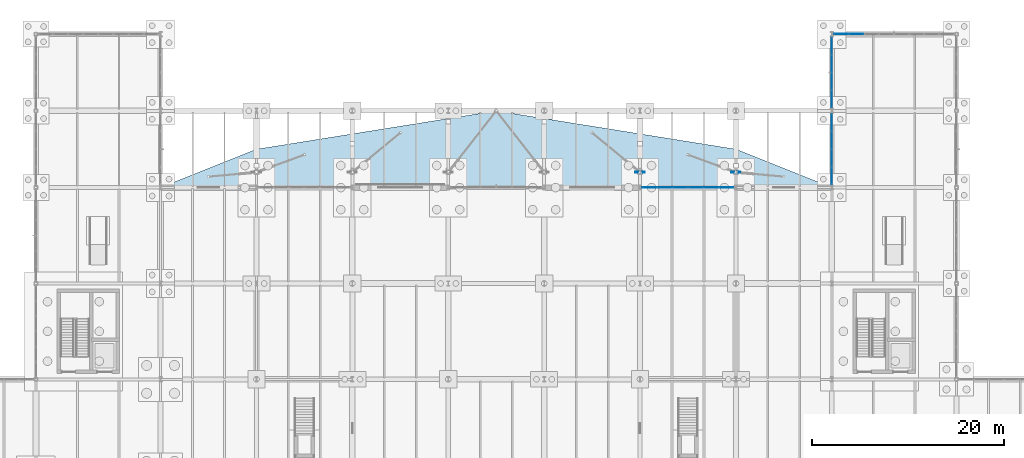
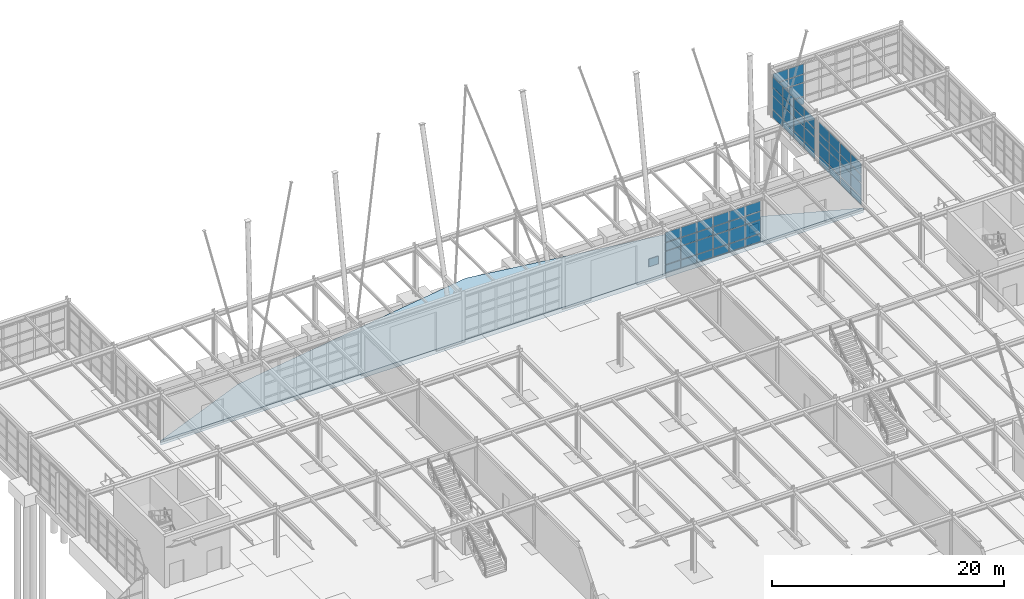
# One storey, part 92 of 145: 66 plates, 1 slab, 4 elements without a shape of their own.
"""IFC4 building model written with IfcOpenShell, lengths in metres."""

import ifcopenshell
import ifcopenshell.guid

model = None  # the IFC model being written
_history = None  # IfcOwnerHistory: only IFC2X3 demands one
_inside = {}  # id of a spatial element -> (the spatial element, [elements in it])
_under = {}  # id of a project, library or spatial element -> (it, [spatial elements below it])
_declared = {}  # id of a project -> (the project, [libraries it declares])
_typed = {}  # id of a type object -> (the type object, [elements of that type])
_made_of = {}  # id of a material, layer set ... -> (it, [elements and type objects made of it])


def new_model(schema):
    """Start an empty IFC model of exactly this schema.

    Asked for "IFC4X3", IfcOpenShell would pick the latest addendum, in which some entities
    have other attributes; the version numbers below select the first issue.
    IFC2X3 requires an IfcOwnerHistory on every rooted entity: one is made here for all.
    """
    global model, _history
    if schema == "IFC4X3":
        model = ifcopenshell.file(schema_version=(4, 3, 0, 0))
    else:
        model = ifcopenshell.file(schema=schema)
    _inside.clear()
    _under.clear()
    _declared.clear()
    _typed.clear()
    _made_of.clear()
    _history = None
    if model.schema == "IFC2X3":
        org = make("IfcOrganization", Name="unknown")
        user = make(
            "IfcPersonAndOrganization",
            ThePerson=make("IfcPerson", FamilyName="unknown"),
            TheOrganization=org,
        )
        app = make(
            "IfcApplication",
            ApplicationDeveloper=org,
            Version="unknown",
            ApplicationFullName="unknown",
            ApplicationIdentifier="unknown",
        )
        _history = make(
            "IfcOwnerHistory",
            OwningUser=user,
            OwningApplication=app,
            ChangeAction="ADDED",
            CreationDate=0,
        )
    return model


def make(cls, **values):
    """One entity of the class cls with the attributes given. An attribute that is None is left unset."""
    return model.create_entity(
        cls, **{name: value for name, value in values.items() if value is not None}
    )


def rooted(cls, **values):
    """An entity with a GlobalId (a new one), such as an element, a storey or a relation."""
    return make(cls, GlobalId=ifcopenshell.guid.new(), OwnerHistory=_history, **values)


def si_unit(unit_type, name, prefix=None):
    """IfcSIUnit, for example si_unit("LENGTHUNIT", "METRE", prefix="MILLI")."""
    return make("IfcSIUnit", UnitType=unit_type, Prefix=prefix, Name=name)


def assignment(units):
    """IfcUnitAssignment: the units of a project."""
    return None if units is None else make("IfcUnitAssignment", Units=units)


def point(xyz):
    """IfcCartesianPoint."""
    return None if xyz is None else make("IfcCartesianPoint", Coordinates=xyz)


def direction(xyz):
    """IfcDirection."""
    return None if xyz is None else make("IfcDirection", DirectionRatios=xyz)


def frame(location, z_axis=None, x_axis=None):
    """IfcAxis2Placement3D, a coordinate frame: its origin and axes. An axis left out is left unset."""
    return make(
        "IfcAxis2Placement3D",
        Location=point(location),
        Axis=direction(z_axis),
        RefDirection=direction(x_axis),
    )


def frame_2d(location, x_axis=None):
    """IfcAxis2Placement2D, a coordinate frame in the plane: its origin and x axis."""
    return make(
        "IfcAxis2Placement2D", Location=point(location), RefDirection=direction(x_axis)
    )


def origin():
    """The frame at (0, 0, 0) with its axes left unset."""
    return frame((0.0, 0.0, 0.0))


def origin_2d():
    """The frame at (0, 0) in the plane with its x axis left unset."""
    return frame_2d((0.0, 0.0))


def place(relative_to, where):
    """IfcLocalPlacement: puts the frame where relative to a parent placement (None: the world)."""
    return make(
        "IfcLocalPlacement", PlacementRelTo=relative_to, RelativePlacement=where
    )


def context(
    kind, dimensions, precision=None, world=None, true_north=None, identifier=None
):
    """IfcGeometricRepresentationContext, for example the 3D "Model" context."""
    return make(
        "IfcGeometricRepresentationContext",
        ContextIdentifier=identifier,
        ContextType=kind,
        CoordinateSpaceDimension=dimensions,
        Precision=precision,
        WorldCoordinateSystem=world,
        TrueNorth=true_north,
    )


def subcontext(parent, identifier, kind, view, scale=None):
    """IfcGeometricRepresentationSubContext, for example "Body" below "Model"."""
    return make(
        "IfcGeometricRepresentationSubContext",
        ContextIdentifier=identifier,
        ContextType=kind,
        ParentContext=parent,
        TargetScale=scale,
        TargetView=view,
    )


def project(units=None, contexts=None):
    """IfcProject with its units and contexts."""
    return rooted(
        "IfcProject",
        Name="project",
        RepresentationContexts=contexts,
        UnitsInContext=assignment(units),
    )


def spatial(cls, under=None, at=None, **own):
    """A site, building, storey or space (cls), placed at a placement, below another one or the project."""
    s = rooted(cls, ObjectPlacement=at, **own)
    if under is not None:
        _under.setdefault(under.id(), (under, []))[1].append(s)
    return s


def polyline(points):
    """IfcPolyline through the points."""
    return make("IfcPolyline", Points=[point(p) for p in points])


def profile(cls, at=None, kind="AREA", **sizes):
    """A parametric profile (cls). Its sizes go by their IFC names, for example OverallWidth=200.0."""
    return make(cls, ProfileType=kind, Position=at, **sizes)


def rectangle(**sizes):
    """IfcRectangleProfileDef."""
    return profile("IfcRectangleProfileDef", **sizes)


def outline(outer, holes=None, kind="AREA"):
    """IfcArbitraryClosedProfileDef: a profile drawn as a closed curve; with holes, ...WithVoids."""
    if holes is None:
        return make("IfcArbitraryClosedProfileDef", ProfileType=kind, OuterCurve=outer)
    return make(
        "IfcArbitraryProfileDefWithVoids",
        ProfileType=kind,
        OuterCurve=outer,
        InnerCurves=holes,
    )


def extrude(swept, where, along, depth):
    """IfcExtrudedAreaSolid: the profile swept, set in the frame where, extruded along a direction by depth."""
    return make(
        "IfcExtrudedAreaSolid",
        SweptArea=swept,
        Position=where,
        ExtrudedDirection=direction(along),
        Depth=depth,
    )


def shape(context_of_items, identifier, shape_type, items):
    """IfcShapeRepresentation: the items that make up one representation, for example the "Body"."""
    return make(
        "IfcShapeRepresentation",
        ContextOfItems=context_of_items,
        RepresentationIdentifier=identifier,
        RepresentationType=shape_type,
        Items=items,
    )


def material(Name=None, Category=None):
    """IfcMaterial."""
    return make("IfcMaterial", Name=Name, Category=Category)


def layer(
    of_material, thickness, ventilated=None, Name=None, Category=None, Priority=None
):
    """IfcMaterialLayer: one layer of a wall or slab, of a material (None: an air gap)."""
    return make(
        "IfcMaterialLayer",
        Material=of_material,
        LayerThickness=thickness,
        IsVentilated=ventilated,
        Name=Name,
        Category=Category,
        Priority=Priority,
    )


def layer_set(layers, Name=None):
    """IfcMaterialLayerSet."""
    return make("IfcMaterialLayerSet", MaterialLayers=layers, LayerSetName=Name)


def made_of(thing, what):
    """Note that an element or type object is made of a material, layer set ...; save() writes the relation."""
    if what is not None:
        _made_of.setdefault(what.id(), (what, []))[1].append(thing)
    return thing


def type_object(cls, material=None, **own):
    """A type object (cls), such as IfcWallType, which elements share."""
    return made_of(rooted(cls, **own), material)


def element(
    cls,
    number,
    at=None,
    inside=None,
    cuts=None,
    type_object=None,
    material=None,
    context=None,
    identifier="Body",
    shape_type=None,
    held_by="IfcProductDefinitionShape",
    body=None,
    shapes=None,
    **own,
):
    """One element of the class cls, such as IfcWall. Its Tag is "e" and its number.

    at: its placement. inside: the storey or other place that contains it. cuts: it is an
    opening in that element (IfcRelVoidsElement). A single representation is given by context,
    identifier, shape_type and body (its items); several are given by shapes. held_by: the class
    of the entity that holds the representations. save() writes the other relations.
    """
    e = rooted(cls, Tag="e%d" % number, ObjectPlacement=at, **own)
    if body is not None:
        shapes = [shape(context, identifier, shape_type, body)]
    if shapes is not None:
        e.Representation = make(held_by, Representations=shapes)
    if inside is not None:
        _inside.setdefault(inside.id(), (inside, []))[1].append(e)
    if cuts is not None:
        rooted(
            "IfcRelVoidsElement", RelatingBuildingElement=cuts, RelatedOpeningElement=e
        )
    if type_object is not None:
        _typed.setdefault(type_object.id(), (type_object, []))[1].append(e)
    return made_of(e, material)


def aggregate(whole, parts):
    """IfcRelAggregates: a whole, such as a stair, and the parts it consists of."""
    return rooted("IfcRelAggregates", RelatingObject=whole, RelatedObjects=parts)


def save(model, path):
    """Write the relations noted so far, then the file.

    IfcRelAggregates (storeys below a building ...), IfcRelContainedInSpatialStructure (elements
    in a storey), IfcRelDefinesByType, IfcRelAssociatesMaterial and IfcRelDeclares: one each for
    every whole, place, type object, material and project.
    """
    for whole, parts in _under.values():
        aggregate(whole, parts)
    for where, things in _inside.values():
        rooted(
            "IfcRelContainedInSpatialStructure",
            RelatedElements=things,
            RelatingStructure=where,
        )
    for kind, things in _typed.values():
        rooted("IfcRelDefinesByType", RelatedObjects=things, RelatingType=kind)
    for what, things in _made_of.values():
        rooted("IfcRelAssociatesMaterial", RelatedObjects=things, RelatingMaterial=what)
    for by, libraries in _declared.values():
        rooted("IfcRelDeclares", RelatingContext=by, RelatedDefinitions=libraries)
    model.write(path)


model = new_model("IFC4")

# Units and contexts
model_context = context("Model", 3, precision=1e-05, world=origin(), true_north=direction((0.0, 1.0)))
body_context = subcontext(model_context, "Body", "Model", "MODEL_VIEW")
ifc_project = project(units=[si_unit("LENGTHUNIT", "METRE"), si_unit("AREAUNIT", "SQUARE_METRE"), si_unit("VOLUMEUNIT", "CUBIC_METRE"), si_unit("PLANEANGLEUNIT", "RADIAN"), si_unit("MASSUNIT", "GRAM", prefix="KILO"), si_unit("THERMODYNAMICTEMPERATUREUNIT", "KELVIN"), si_unit("POWERUNIT", "WATT")], contexts=[model_context])

# Site, building, storey
site_placement = place(None, origin())
site = spatial("IfcSite", under=ifc_project, at=site_placement, CompositionType="ELEMENT")
building_placement = place(site_placement, origin())
building = spatial("IfcBuilding", under=site, at=building_placement, Name="Korenveer Ferry Terminal", CompositionType="ELEMENT")
storey_placement = place(building_placement, origin())
storey = spatial("IfcBuildingStorey", under=building, at=storey_placement, Name="L00", CompositionType="ELEMENT", Elevation=0.0)

# Curtain wall, plates
ifc_material_1 = material(Name="Unitised bronze-and-glass curtain wall", Category="glass")
ifc_layer_1 = layer(ifc_material_1, 0.219970703125)
ifc_layer_set_1 = layer_set([ifc_layer_1], Name="Unitised bronze-and-glass curtain wall")
curtain_wall_type_1 = type_object("IfcCurtainWallType", Name="ENV-CW-15", PredefinedType="USERDEFINED", material=ifc_layer_set_1)
curtain_wall_1_placement = place(storey_placement, frame((103.179931640625, 100.0, 0.0)))
curtain_wall_1 = element("IfcCurtainWall", 1, at=curtain_wall_1_placement, inside=storey, type_object=curtain_wall_type_1, Name="Lancet curtain wall CWX-L00-X103-113-Y100-100", ObjectType="UNITISED CURTAIN WALL", PredefinedType="USERDEFINED")
ifc_material_2 = material(Name="Acoustic laminated marine glazing", Category="glass")
ifc_layer_2 = layer(ifc_material_2, 0.035888671875)
ifc_layer_set_2 = layer_set([ifc_layer_2], Name="Acoustic laminated marine glazing")
plate_type_1 = type_object("IfcPlateType", Name="ENV-CWP-GLZ36", PredefinedType="CURTAIN_PANEL", material=ifc_layer_set_2)
plate_1_placement = place(storey_placement, frame((104.002197265625, 100.0, 0.074951171875), z_axis=(0.0, 0.0, 1.0), x_axis=(1.0, 0.0, 0.0)))
plate_1 = element("IfcPlate", 2, at=plate_1_placement, type_object=plate_type_1, Name="CW-15 panel 1.1", PredefinedType="CURTAIN_PANEL", context=body_context, shape_type="SweptSolid", body=[
    extrude(rectangle(XDim=1.494140625, YDim=0.035888671875, at=origin_2d()), origin(), (0.0, 0.0, 1.0), 0.78759765625),
])
plate_2_placement = place(storey_placement, frame((104.002197265625, 100.0, 0.9375), z_axis=(0.0, 0.0, 1.0), x_axis=(1.0, 0.0, 0.0)))
plate_2 = element("IfcPlate", 3, at=plate_2_placement, type_object=plate_type_1, Name="CW-15 panel 1.2", PredefinedType="CURTAIN_PANEL", context=body_context, shape_type="SweptSolid", body=[
    extrude(rectangle(XDim=1.494140625, YDim=0.035888671875, at=origin_2d()), origin(), (0.0, 0.0, 1.0), 1.375),
])
plate_3_placement = place(storey_placement, frame((104.002197265625, 100.0, 2.3876953125), z_axis=(0.0, 0.0, 1.0), x_axis=(1.0, 0.0, 0.0)))
plate_3 = element("IfcPlate", 4, at=plate_3_placement, type_object=plate_type_1, Name="CW-15 panel 1.3", PredefinedType="CURTAIN_PANEL", context=body_context, shape_type="SweptSolid", body=[
    extrude(rectangle(XDim=1.494140625, YDim=0.035888671875, at=origin_2d()), origin(), (0.0, 0.0, 1.0), 0.824951171875),
])
plate_4_placement = place(storey_placement, frame((104.002197265625, 100.0, 3.287353515625), z_axis=(0.0, 0.0, 1.0), x_axis=(1.0, 0.0, 0.0)))
plate_4 = element("IfcPlate", 5, at=plate_4_placement, type_object=plate_type_1, Name="CW-15 panel 1.4", PredefinedType="CURTAIN_PANEL", context=body_context, shape_type="SweptSolid", body=[
    extrude(rectangle(XDim=1.494140625, YDim=0.035888671875, at=origin_2d()), origin(), (0.0, 0.0, 1.0), 1.017578125),
])
plate_5_placement = place(storey_placement, frame((105.590087890625, 100.0, 0.074951171875), z_axis=(0.0, 0.0, 1.0), x_axis=(1.0, 0.0, 0.0)))
plate_5 = element("IfcPlate", 6, at=plate_5_placement, type_object=plate_type_1, Name="CW-15 panel 2.1", PredefinedType="CURTAIN_PANEL", context=body_context, shape_type="SweptSolid", body=[
    extrude(rectangle(XDim=1.53173828125, YDim=0.035888671875, at=origin_2d()), origin(), (0.0, 0.0, 1.0), 0.78759765625),
])
plate_6_placement = place(storey_placement, frame((105.590087890625, 100.0, 0.9375), z_axis=(0.0, 0.0, 1.0), x_axis=(1.0, 0.0, 0.0)))
plate_6 = element("IfcPlate", 7, at=plate_6_placement, type_object=plate_type_1, Name="CW-15 panel 2.2", PredefinedType="CURTAIN_PANEL", context=body_context, shape_type="SweptSolid", body=[
    extrude(rectangle(XDim=1.53173828125, YDim=0.035888671875, at=origin_2d()), origin(), (0.0, 0.0, 1.0), 1.375),
])
plate_7_placement = place(storey_placement, frame((105.590087890625, 100.0, 2.3876953125), z_axis=(0.0, 0.0, 1.0), x_axis=(1.0, 0.0, 0.0)))
plate_7 = element("IfcPlate", 8, at=plate_7_placement, type_object=plate_type_1, Name="CW-15 panel 2.3", PredefinedType="CURTAIN_PANEL", context=body_context, shape_type="SweptSolid", body=[
    extrude(rectangle(XDim=1.53173828125, YDim=0.035888671875, at=origin_2d()), origin(), (0.0, 0.0, 1.0), 0.824951171875),
])
plate_8_placement = place(storey_placement, frame((105.590087890625, 100.0, 3.287353515625), z_axis=(0.0, 0.0, 1.0), x_axis=(1.0, 0.0, 0.0)))
plate_8 = element("IfcPlate", 9, at=plate_8_placement, type_object=plate_type_1, Name="CW-15 panel 2.4", PredefinedType="CURTAIN_PANEL", context=body_context, shape_type="SweptSolid", body=[
    extrude(rectangle(XDim=1.53173828125, YDim=0.035888671875, at=origin_2d()), origin(), (0.0, 0.0, 1.0), 1.017578125),
])
plate_9_placement = place(storey_placement, frame((107.19677734375, 100.0, 0.074951171875), z_axis=(0.0, 0.0, 1.0), x_axis=(1.0, 0.0, 0.0)))
plate_9 = element("IfcPlate", 10, at=plate_9_placement, type_object=plate_type_1, Name="CW-15 panel 3.1", PredefinedType="CURTAIN_PANEL", context=body_context, shape_type="SweptSolid", body=[
    extrude(rectangle(XDim=1.53173828125, YDim=0.035888671875, at=origin_2d()), origin(), (0.0, 0.0, 1.0), 0.78759765625),
])
plate_10_placement = place(storey_placement, frame((107.19677734375, 100.0, 0.9375), z_axis=(0.0, 0.0, 1.0), x_axis=(1.0, 0.0, 0.0)))
plate_10 = element("IfcPlate", 11, at=plate_10_placement, type_object=plate_type_1, Name="CW-15 panel 3.2", PredefinedType="CURTAIN_PANEL", context=body_context, shape_type="SweptSolid", body=[
    extrude(rectangle(XDim=1.53173828125, YDim=0.035888671875, at=origin_2d()), origin(), (0.0, 0.0, 1.0), 1.375),
])
plate_11_placement = place(storey_placement, frame((107.19677734375, 100.0, 2.3876953125), z_axis=(0.0, 0.0, 1.0), x_axis=(1.0, 0.0, 0.0)))
plate_11 = element("IfcPlate", 12, at=plate_11_placement, type_object=plate_type_1, Name="CW-15 panel 3.3", PredefinedType="CURTAIN_PANEL", context=body_context, shape_type="SweptSolid", body=[
    extrude(rectangle(XDim=1.53173828125, YDim=0.035888671875, at=origin_2d()), origin(), (0.0, 0.0, 1.0), 0.824951171875),
])
plate_12_placement = place(storey_placement, frame((107.19677734375, 100.0, 3.287353515625), z_axis=(0.0, 0.0, 1.0), x_axis=(1.0, 0.0, 0.0)))
plate_12 = element("IfcPlate", 13, at=plate_12_placement, type_object=plate_type_1, Name="CW-15 panel 3.4", PredefinedType="CURTAIN_PANEL", context=body_context, shape_type="SweptSolid", body=[
    extrude(rectangle(XDim=1.53173828125, YDim=0.035888671875, at=origin_2d()), origin(), (0.0, 0.0, 1.0), 1.017578125),
])
plate_13_placement = place(storey_placement, frame((108.80322265625, 100.0, 0.074951171875), z_axis=(0.0, 0.0, 1.0), x_axis=(1.0, 0.0, 0.0)))
plate_13 = element("IfcPlate", 14, at=plate_13_placement, type_object=plate_type_1, Name="CW-15 panel 4.1", PredefinedType="CURTAIN_PANEL", context=body_context, shape_type="SweptSolid", body=[
    extrude(rectangle(XDim=1.53173828125, YDim=0.035888671875, at=origin_2d()), origin(), (0.0, 0.0, 1.0), 0.78759765625),
])
plate_14_placement = place(storey_placement, frame((108.80322265625, 100.0, 0.9375), z_axis=(0.0, 0.0, 1.0), x_axis=(1.0, 0.0, 0.0)))
plate_14 = element("IfcPlate", 15, at=plate_14_placement, type_object=plate_type_1, Name="CW-15 panel 4.2", PredefinedType="CURTAIN_PANEL", context=body_context, shape_type="SweptSolid", body=[
    extrude(rectangle(XDim=1.53173828125, YDim=0.035888671875, at=origin_2d()), origin(), (0.0, 0.0, 1.0), 1.375),
])
plate_15_placement = place(storey_placement, frame((108.80322265625, 100.0, 2.3876953125), z_axis=(0.0, 0.0, 1.0), x_axis=(1.0, 0.0, 0.0)))
plate_15 = element("IfcPlate", 16, at=plate_15_placement, type_object=plate_type_1, Name="CW-15 panel 4.3", PredefinedType="CURTAIN_PANEL", context=body_context, shape_type="SweptSolid", body=[
    extrude(rectangle(XDim=1.53173828125, YDim=0.035888671875, at=origin_2d()), origin(), (0.0, 0.0, 1.0), 0.824951171875),
])
plate_16_placement = place(storey_placement, frame((108.80322265625, 100.0, 3.287353515625), z_axis=(0.0, 0.0, 1.0), x_axis=(1.0, 0.0, 0.0)))
plate_16 = element("IfcPlate", 17, at=plate_16_placement, type_object=plate_type_1, Name="CW-15 panel 4.4", PredefinedType="CURTAIN_PANEL", context=body_context, shape_type="SweptSolid", body=[
    extrude(rectangle(XDim=1.53173828125, YDim=0.035888671875, at=origin_2d()), origin(), (0.0, 0.0, 1.0), 1.017578125),
])
plate_17_placement = place(storey_placement, frame((110.409912109375, 100.0, 0.074951171875), z_axis=(0.0, 0.0, 1.0), x_axis=(1.0, 0.0, 0.0)))
plate_17 = element("IfcPlate", 18, at=plate_17_placement, type_object=plate_type_1, Name="CW-15 panel 5.1", PredefinedType="CURTAIN_PANEL", context=body_context, shape_type="SweptSolid", body=[
    extrude(rectangle(XDim=1.53173828125, YDim=0.035888671875, at=origin_2d()), origin(), (0.0, 0.0, 1.0), 0.78759765625),
])
plate_18_placement = place(storey_placement, frame((110.409912109375, 100.0, 0.9375), z_axis=(0.0, 0.0, 1.0), x_axis=(1.0, 0.0, 0.0)))
plate_18 = element("IfcPlate", 19, at=plate_18_placement, type_object=plate_type_1, Name="CW-15 panel 5.2", PredefinedType="CURTAIN_PANEL", context=body_context, shape_type="SweptSolid", body=[
    extrude(rectangle(XDim=1.53173828125, YDim=0.035888671875, at=origin_2d()), origin(), (0.0, 0.0, 1.0), 1.375),
])
plate_19_placement = place(storey_placement, frame((110.409912109375, 100.0, 2.3876953125), z_axis=(0.0, 0.0, 1.0), x_axis=(1.0, 0.0, 0.0)))
plate_19 = element("IfcPlate", 20, at=plate_19_placement, type_object=plate_type_1, Name="CW-15 panel 5.3", PredefinedType="CURTAIN_PANEL", context=body_context, shape_type="SweptSolid", body=[
    extrude(rectangle(XDim=1.53173828125, YDim=0.035888671875, at=origin_2d()), origin(), (0.0, 0.0, 1.0), 0.824951171875),
])
plate_20_placement = place(storey_placement, frame((110.409912109375, 100.0, 3.287353515625), z_axis=(0.0, 0.0, 1.0), x_axis=(1.0, 0.0, 0.0)))
plate_20 = element("IfcPlate", 21, at=plate_20_placement, type_object=plate_type_1, Name="CW-15 panel 5.4", PredefinedType="CURTAIN_PANEL", context=body_context, shape_type="SweptSolid", body=[
    extrude(rectangle(XDim=1.53173828125, YDim=0.035888671875, at=origin_2d()), origin(), (0.0, 0.0, 1.0), 1.017578125),
])
plate_21_placement = place(storey_placement, frame((111.997802734375, 100.0, 0.074951171875), z_axis=(0.0, 0.0, 1.0), x_axis=(1.0, 0.0, 0.0)))
plate_21 = element("IfcPlate", 22, at=plate_21_placement, type_object=plate_type_1, Name="CW-15 panel 6.1", PredefinedType="CURTAIN_PANEL", context=body_context, shape_type="SweptSolid", body=[
    extrude(rectangle(XDim=1.494140625, YDim=0.035888671875, at=origin_2d()), origin(), (0.0, 0.0, 1.0), 0.78759765625),
])
plate_22_placement = place(storey_placement, frame((111.997802734375, 100.0, 0.9375), z_axis=(0.0, 0.0, 1.0), x_axis=(1.0, 0.0, 0.0)))
plate_22 = element("IfcPlate", 23, at=plate_22_placement, type_object=plate_type_1, Name="CW-15 panel 6.2", PredefinedType="CURTAIN_PANEL", context=body_context, shape_type="SweptSolid", body=[
    extrude(rectangle(XDim=1.494140625, YDim=0.035888671875, at=origin_2d()), origin(), (0.0, 0.0, 1.0), 1.375),
])
plate_23_placement = place(storey_placement, frame((111.997802734375, 100.0, 2.3876953125), z_axis=(0.0, 0.0, 1.0), x_axis=(1.0, 0.0, 0.0)))
plate_23 = element("IfcPlate", 24, at=plate_23_placement, type_object=plate_type_1, Name="CW-15 panel 6.3", PredefinedType="CURTAIN_PANEL", context=body_context, shape_type="SweptSolid", body=[
    extrude(rectangle(XDim=1.494140625, YDim=0.035888671875, at=origin_2d()), origin(), (0.0, 0.0, 1.0), 0.824951171875),
])
plate_24_placement = place(storey_placement, frame((111.997802734375, 100.0, 3.287353515625), z_axis=(0.0, 0.0, 1.0), x_axis=(1.0, 0.0, 0.0)))
plate_24 = element("IfcPlate", 25, at=plate_24_placement, type_object=plate_type_1, Name="CW-15 panel 6.4", PredefinedType="CURTAIN_PANEL", context=body_context, shape_type="SweptSolid", body=[
    extrude(rectangle(XDim=1.494140625, YDim=0.035888671875, at=origin_2d()), origin(), (0.0, 0.0, 1.0), 1.017578125),
])
aggregate(curtain_wall_1, [plate_1, plate_2, plate_3, plate_4, plate_5, plate_6, plate_7, plate_8, plate_9, plate_10, plate_11, plate_12, plate_13, plate_14, plate_15, plate_16, plate_17, plate_18, plate_19, plate_20, plate_21, plate_22, plate_23, plate_24])

ifc_layer_3 = layer(ifc_material_1, 0.219970703125)
ifc_layer_set_3 = layer_set([ifc_layer_3], Name="Unitised bronze-and-glass curtain wall")
curtain_wall_type_2 = type_object("IfcCurtainWallType", Name="ENV-CW-17", PredefinedType="USERDEFINED", material=ifc_layer_set_3)
curtain_wall_2_placement = place(storey_placement, frame((123.179931640625, 116.0, 0.0)))
curtain_wall_2 = element("IfcCurtainWall", 26, at=curtain_wall_2_placement, inside=storey, type_object=curtain_wall_type_2, Name="Lancet curtain wall CWX-L00-X123-136-Y116-116", ObjectType="UNITISED CURTAIN WALL", PredefinedType="USERDEFINED")
plate_25_placement = place(storey_placement, frame((123.987060546875, 116.0, 0.074951171875), z_axis=(0.0, 0.0, 1.0), x_axis=(1.0, 0.0, 0.0)))
plate_25 = element("IfcPlate", 27, at=plate_25_placement, type_object=plate_type_1, Name="CW-17 panel 1.1", PredefinedType="CURTAIN_PANEL", context=body_context, shape_type="SweptSolid", body=[
    extrude(rectangle(XDim=1.464111328125, YDim=0.035888671875, at=origin_2d()), origin(), (0.0, 0.0, 1.0), 0.78759765625),
])
plate_26_placement = place(storey_placement, frame((123.987060546875, 116.0, 0.9375), z_axis=(0.0, 0.0, 1.0), x_axis=(1.0, 0.0, 0.0)))
plate_26 = element("IfcPlate", 28, at=plate_26_placement, type_object=plate_type_1, Name="CW-17 panel 1.2", PredefinedType="CURTAIN_PANEL", context=body_context, shape_type="SweptSolid", body=[
    extrude(rectangle(XDim=1.464111328125, YDim=0.035888671875, at=origin_2d()), origin(), (0.0, 0.0, 1.0), 1.375),
])
plate_27_placement = place(storey_placement, frame((123.987060546875, 116.0, 2.3876953125), z_axis=(0.0, 0.0, 1.0), x_axis=(1.0, 0.0, 0.0)))
plate_27 = element("IfcPlate", 29, at=plate_27_placement, type_object=plate_type_1, Name="CW-17 panel 1.3", PredefinedType="CURTAIN_PANEL", context=body_context, shape_type="SweptSolid", body=[
    extrude(rectangle(XDim=1.464111328125, YDim=0.035888671875, at=origin_2d()), origin(), (0.0, 0.0, 1.0), 0.824951171875),
])
plate_28_placement = place(storey_placement, frame((123.987060546875, 116.0, 3.28759765625), z_axis=(0.0, 0.0, 1.0), x_axis=(1.0, 0.0, 0.0)))
plate_28 = element("IfcPlate", 30, at=plate_28_placement, type_object=plate_type_1, Name="CW-17 panel 1.4", PredefinedType="CURTAIN_PANEL", context=body_context, shape_type="SweptSolid", body=[
    extrude(rectangle(XDim=1.464111328125, YDim=0.035888671875, at=origin_2d()), origin(), (0.0, 0.0, 1.0), 1.027587890625),
])
plate_29_placement = place(storey_placement, frame((125.544677734375, 116.0, 0.074951171875), z_axis=(0.0, 0.0, 1.0), x_axis=(1.0, 0.0, 0.0)))
plate_29 = element("IfcPlate", 31, at=plate_29_placement, type_object=plate_type_1, Name="CW-17 panel 2.1", PredefinedType="CURTAIN_PANEL", context=body_context, shape_type="SweptSolid", body=[
    extrude(rectangle(XDim=1.50146484375, YDim=0.035888671875, at=origin_2d()), origin(), (0.0, 0.0, 1.0), 0.78759765625),
])
plate_30_placement = place(storey_placement, frame((125.544677734375, 116.0, 0.9375), z_axis=(0.0, 0.0, 1.0), x_axis=(1.0, 0.0, 0.0)))
plate_30 = element("IfcPlate", 32, at=plate_30_placement, type_object=plate_type_1, Name="CW-17 panel 2.2", PredefinedType="CURTAIN_PANEL", context=body_context, shape_type="SweptSolid", body=[
    extrude(rectangle(XDim=1.50146484375, YDim=0.035888671875, at=origin_2d()), origin(), (0.0, 0.0, 1.0), 1.375),
])
plate_31_placement = place(storey_placement, frame((125.544677734375, 116.0, 2.3876953125), z_axis=(0.0, 0.0, 1.0), x_axis=(1.0, 0.0, 0.0)))
plate_31 = element("IfcPlate", 33, at=plate_31_placement, type_object=plate_type_1, Name="CW-17 panel 2.3", PredefinedType="CURTAIN_PANEL", context=body_context, shape_type="SweptSolid", body=[
    extrude(rectangle(XDim=1.50146484375, YDim=0.035888671875, at=origin_2d()), origin(), (0.0, 0.0, 1.0), 0.824951171875),
])
plate_32_placement = place(storey_placement, frame((125.544677734375, 116.0, 3.28759765625), z_axis=(0.0, 0.0, 1.0), x_axis=(1.0, 0.0, 0.0)))
plate_32 = element("IfcPlate", 34, at=plate_32_placement, type_object=plate_type_1, Name="CW-17 panel 2.4", PredefinedType="CURTAIN_PANEL", context=body_context, shape_type="SweptSolid", body=[
    extrude(rectangle(XDim=1.50146484375, YDim=0.035888671875, at=origin_2d()), origin(), (0.0, 0.0, 1.0), 1.027587890625),
])
aggregate(curtain_wall_2, [plate_25, plate_26, plate_27, plate_28, plate_29, plate_30, plate_31, plate_32])

ifc_layer_4 = layer(ifc_material_1, 0.219970703125)
ifc_layer_set_4 = layer_set([ifc_layer_4], Name="Unitised bronze-and-glass curtain wall")
curtain_wall_type_3 = type_object("IfcCurtainWallType", Name="ENV-CW-28", PredefinedType="USERDEFINED", material=ifc_layer_set_4)
curtain_wall_3_placement = place(storey_placement, frame((123.0, 100.280029296875, 0.0)))
curtain_wall_3 = element("IfcCurtainWall", 35, at=curtain_wall_3_placement, inside=storey, type_object=curtain_wall_type_3, Name="Lancet curtain wall CWX-L00-X123-123-Y100-108", ObjectType="UNITISED CURTAIN WALL", PredefinedType="USERDEFINED")
plate_33_placement = place(storey_placement, frame((123.0, 101.228759765625, 0.074951171875), z_axis=(0.0, 0.0, 1.0), x_axis=(0.0, 1.0, 0.0)))
plate_33 = element("IfcPlate", 36, at=plate_33_placement, type_object=plate_type_1, Name="CW-28 panel 1.1", PredefinedType="CURTAIN_PANEL", context=body_context, shape_type="SweptSolid", body=[
    extrude(rectangle(XDim=1.74755859375, YDim=0.035888671875, at=origin_2d()), origin(), (0.0, 0.0, 1.0), 0.78759765625),
])
plate_34_placement = place(storey_placement, frame((123.0, 101.228759765625, 0.9375), z_axis=(0.0, 0.0, 1.0), x_axis=(0.0, 1.0, 0.0)))
plate_34 = element("IfcPlate", 37, at=plate_34_placement, type_object=plate_type_1, Name="CW-28 panel 1.2", PredefinedType="CURTAIN_PANEL", context=body_context, shape_type="SweptSolid", body=[
    extrude(rectangle(XDim=1.74755859375, YDim=0.035888671875, at=origin_2d()), origin(), (0.0, 0.0, 1.0), 1.375),
])
plate_35_placement = place(storey_placement, frame((123.0, 101.228759765625, 2.3876953125), z_axis=(0.0, 0.0, 1.0), x_axis=(0.0, 1.0, 0.0)))
plate_35 = element("IfcPlate", 38, at=plate_35_placement, type_object=plate_type_1, Name="CW-28 panel 1.3", PredefinedType="CURTAIN_PANEL", context=body_context, shape_type="SweptSolid", body=[
    extrude(rectangle(XDim=1.74755859375, YDim=0.035888671875, at=origin_2d()), origin(), (0.0, 0.0, 1.0), 0.824951171875),
])
plate_36_placement = place(storey_placement, frame((123.0, 101.228759765625, 3.28759765625), z_axis=(0.0, 0.0, 1.0), x_axis=(0.0, 1.0, 0.0)))
plate_36 = element("IfcPlate", 39, at=plate_36_placement, type_object=plate_type_1, Name="CW-28 panel 1.4", PredefinedType="CURTAIN_PANEL", context=body_context, shape_type="SweptSolid", body=[
    extrude(rectangle(XDim=1.74755859375, YDim=0.035888671875, at=origin_2d()), origin(), (0.0, 0.0, 1.0), 1.12744140625),
])
plate_37_placement = place(storey_placement, frame((123.0, 103.070068359375, 0.074951171875), z_axis=(0.0, 0.0, 1.0), x_axis=(0.0, 1.0, 0.0)))
plate_37 = element("IfcPlate", 40, at=plate_37_placement, type_object=plate_type_1, Name="CW-28 panel 2.1", PredefinedType="CURTAIN_PANEL", context=body_context, shape_type="SweptSolid", body=[
    extrude(rectangle(XDim=1.784912109375, YDim=0.035888671875, at=origin_2d()), origin(), (0.0, 0.0, 1.0), 0.78759765625),
])
plate_38_placement = place(storey_placement, frame((123.0, 103.070068359375, 0.9375), z_axis=(0.0, 0.0, 1.0), x_axis=(0.0, 1.0, 0.0)))
plate_38 = element("IfcPlate", 41, at=plate_38_placement, type_object=plate_type_1, Name="CW-28 panel 2.2", PredefinedType="CURTAIN_PANEL", context=body_context, shape_type="SweptSolid", body=[
    extrude(rectangle(XDim=1.784912109375, YDim=0.035888671875, at=origin_2d()), origin(), (0.0, 0.0, 1.0), 1.375),
])
plate_39_placement = place(storey_placement, frame((123.0, 103.070068359375, 2.3876953125), z_axis=(0.0, 0.0, 1.0), x_axis=(0.0, 1.0, 0.0)))
plate_39 = element("IfcPlate", 42, at=plate_39_placement, type_object=plate_type_1, Name="CW-28 panel 2.3", PredefinedType="CURTAIN_PANEL", context=body_context, shape_type="SweptSolid", body=[
    extrude(rectangle(XDim=1.784912109375, YDim=0.035888671875, at=origin_2d()), origin(), (0.0, 0.0, 1.0), 0.824951171875),
])
plate_40_placement = place(storey_placement, frame((123.0, 103.070068359375, 3.28759765625), z_axis=(0.0, 0.0, 1.0), x_axis=(0.0, 1.0, 0.0)))
plate_40 = element("IfcPlate", 43, at=plate_40_placement, type_object=plate_type_1, Name="CW-28 panel 2.4", PredefinedType="CURTAIN_PANEL", context=body_context, shape_type="SweptSolid", body=[
    extrude(rectangle(XDim=1.784912109375, YDim=0.035888671875, at=origin_2d()), origin(), (0.0, 0.0, 1.0), 1.12744140625),
])
plate_41_placement = place(storey_placement, frame((123.0, 104.929931640625, 0.074951171875), z_axis=(0.0, 0.0, 1.0), x_axis=(0.0, 1.0, 0.0)))
plate_41 = element("IfcPlate", 44, at=plate_41_placement, type_object=plate_type_1, Name="CW-28 panel 3.1", PredefinedType="CURTAIN_PANEL", context=body_context, shape_type="SweptSolid", body=[
    extrude(rectangle(XDim=1.784912109375, YDim=0.035888671875, at=origin_2d()), origin(), (0.0, 0.0, 1.0), 0.78759765625),
])
plate_42_placement = place(storey_placement, frame((123.0, 104.929931640625, 0.9375), z_axis=(0.0, 0.0, 1.0), x_axis=(0.0, 1.0, 0.0)))
plate_42 = element("IfcPlate", 45, at=plate_42_placement, type_object=plate_type_1, Name="CW-28 panel 3.2", PredefinedType="CURTAIN_PANEL", context=body_context, shape_type="SweptSolid", body=[
    extrude(rectangle(XDim=1.784912109375, YDim=0.035888671875, at=origin_2d()), origin(), (0.0, 0.0, 1.0), 1.375),
])
plate_43_placement = place(storey_placement, frame((123.0, 104.929931640625, 2.3876953125), z_axis=(0.0, 0.0, 1.0), x_axis=(0.0, 1.0, 0.0)))
plate_43 = element("IfcPlate", 46, at=plate_43_placement, type_object=plate_type_1, Name="CW-28 panel 3.3", PredefinedType="CURTAIN_PANEL", context=body_context, shape_type="SweptSolid", body=[
    extrude(rectangle(XDim=1.784912109375, YDim=0.035888671875, at=origin_2d()), origin(), (0.0, 0.0, 1.0), 0.824951171875),
])
plate_44_placement = place(storey_placement, frame((123.0, 104.929931640625, 3.28759765625), z_axis=(0.0, 0.0, 1.0), x_axis=(0.0, 1.0, 0.0)))
plate_44 = element("IfcPlate", 47, at=plate_44_placement, type_object=plate_type_1, Name="CW-28 panel 3.4", PredefinedType="CURTAIN_PANEL", context=body_context, shape_type="SweptSolid", body=[
    extrude(rectangle(XDim=1.784912109375, YDim=0.035888671875, at=origin_2d()), origin(), (0.0, 0.0, 1.0), 1.12744140625),
])
plate_45_placement = place(storey_placement, frame((123.0, 106.771240234375, 0.074951171875), z_axis=(0.0, 0.0, 1.0), x_axis=(0.0, 1.0, 0.0)))
plate_45 = element("IfcPlate", 48, at=plate_45_placement, type_object=plate_type_1, Name="CW-28 panel 4.1", PredefinedType="CURTAIN_PANEL", context=body_context, shape_type="SweptSolid", body=[
    extrude(rectangle(XDim=1.74755859375, YDim=0.035888671875, at=origin_2d()), origin(), (0.0, 0.0, 1.0), 0.78759765625),
])
plate_46_placement = place(storey_placement, frame((123.0, 106.771240234375, 0.9375), z_axis=(0.0, 0.0, 1.0), x_axis=(0.0, 1.0, 0.0)))
plate_46 = element("IfcPlate", 49, at=plate_46_placement, type_object=plate_type_1, Name="CW-28 panel 4.2", PredefinedType="CURTAIN_PANEL", context=body_context, shape_type="SweptSolid", body=[
    extrude(rectangle(XDim=1.74755859375, YDim=0.035888671875, at=origin_2d()), origin(), (0.0, 0.0, 1.0), 1.375),
])
plate_47_placement = place(storey_placement, frame((123.0, 106.771240234375, 2.3876953125), z_axis=(0.0, 0.0, 1.0), x_axis=(0.0, 1.0, 0.0)))
plate_47 = element("IfcPlate", 50, at=plate_47_placement, type_object=plate_type_1, Name="CW-28 panel 4.3", PredefinedType="CURTAIN_PANEL", context=body_context, shape_type="SweptSolid", body=[
    extrude(rectangle(XDim=1.74755859375, YDim=0.035888671875, at=origin_2d()), origin(), (0.0, 0.0, 1.0), 0.824951171875),
])
plate_48_placement = place(storey_placement, frame((123.0, 106.771240234375, 3.28759765625), z_axis=(0.0, 0.0, 1.0), x_axis=(0.0, 1.0, 0.0)))
plate_48 = element("IfcPlate", 51, at=plate_48_placement, type_object=plate_type_1, Name="CW-28 panel 4.4", PredefinedType="CURTAIN_PANEL", context=body_context, shape_type="SweptSolid", body=[
    extrude(rectangle(XDim=1.74755859375, YDim=0.035888671875, at=origin_2d()), origin(), (0.0, 0.0, 1.0), 1.12744140625),
])
aggregate(curtain_wall_3, [plate_33, plate_34, plate_35, plate_36, plate_37, plate_38, plate_39, plate_40, plate_41, plate_42, plate_43, plate_44, plate_45, plate_46, plate_47, plate_48])

ifc_layer_5 = layer(ifc_material_1, 0.219970703125)
ifc_layer_set_5 = layer_set([ifc_layer_5], Name="Unitised bronze-and-glass curtain wall")
curtain_wall_type_4 = type_object("IfcCurtainWallType", Name="ENV-CW-29", PredefinedType="USERDEFINED", material=ifc_layer_set_5)
curtain_wall_4_placement = place(storey_placement, frame((123.0, 108.280029296875, 0.0)))
curtain_wall_4 = element("IfcCurtainWall", 52, at=curtain_wall_4_placement, inside=storey, type_object=curtain_wall_type_4, Name="Lancet curtain wall CWX-L00-X123-123-Y108-116", ObjectType="UNITISED CURTAIN WALL", PredefinedType="USERDEFINED")
plate_49_placement = place(storey_placement, frame((123.0, 109.228759765625, 0.074951171875), z_axis=(0.0, 0.0, 1.0), x_axis=(0.0, 1.0, 0.0)))
plate_49 = element("IfcPlate", 53, at=plate_49_placement, type_object=plate_type_1, Name="CW-29 panel 1.1", PredefinedType="CURTAIN_PANEL", context=body_context, shape_type="SweptSolid", body=[
    extrude(rectangle(XDim=1.74755859375, YDim=0.035888671875, at=origin_2d()), origin(), (0.0, 0.0, 1.0), 0.78759765625),
])
plate_50_placement = place(storey_placement, frame((123.0, 109.228759765625, 0.9375), z_axis=(0.0, 0.0, 1.0), x_axis=(0.0, 1.0, 0.0)))
plate_50 = element("IfcPlate", 54, at=plate_50_placement, type_object=plate_type_1, Name="CW-29 panel 1.2", PredefinedType="CURTAIN_PANEL", context=body_context, shape_type="SweptSolid", body=[
    extrude(rectangle(XDim=1.74755859375, YDim=0.035888671875, at=origin_2d()), origin(), (0.0, 0.0, 1.0), 1.375),
])
plate_51_placement = place(storey_placement, frame((123.0, 109.228759765625, 2.3876953125), z_axis=(0.0, 0.0, 1.0), x_axis=(0.0, 1.0, 0.0)))
plate_51 = element("IfcPlate", 55, at=plate_51_placement, type_object=plate_type_1, Name="CW-29 panel 1.3", PredefinedType="CURTAIN_PANEL", context=body_context, shape_type="SweptSolid", body=[
    extrude(rectangle(XDim=1.74755859375, YDim=0.035888671875, at=origin_2d()), origin(), (0.0, 0.0, 1.0), 0.824951171875),
])
plate_52_placement = place(storey_placement, frame((123.0, 109.228759765625, 3.28759765625), z_axis=(0.0, 0.0, 1.0), x_axis=(0.0, 1.0, 0.0)))
plate_52 = element("IfcPlate", 56, at=plate_52_placement, type_object=plate_type_1, Name="CW-29 panel 1.4", PredefinedType="CURTAIN_PANEL", context=body_context, shape_type="SweptSolid", body=[
    extrude(rectangle(XDim=1.74755859375, YDim=0.035888671875, at=origin_2d()), origin(), (0.0, 0.0, 1.0), 1.027587890625),
])
plate_53_placement = place(storey_placement, frame((123.0, 111.070068359375, 0.074951171875), z_axis=(0.0, 0.0, 1.0), x_axis=(0.0, 1.0, 0.0)))
plate_53 = element("IfcPlate", 57, at=plate_53_placement, type_object=plate_type_1, Name="CW-29 panel 2.1", PredefinedType="CURTAIN_PANEL", context=body_context, shape_type="SweptSolid", body=[
    extrude(rectangle(XDim=1.784912109375, YDim=0.035888671875, at=origin_2d()), origin(), (0.0, 0.0, 1.0), 0.78759765625),
])
plate_54_placement = place(storey_placement, frame((123.0, 111.070068359375, 0.9375), z_axis=(0.0, 0.0, 1.0), x_axis=(0.0, 1.0, 0.0)))
plate_54 = element("IfcPlate", 58, at=plate_54_placement, type_object=plate_type_1, Name="CW-29 panel 2.2", PredefinedType="CURTAIN_PANEL", context=body_context, shape_type="SweptSolid", body=[
    extrude(rectangle(XDim=1.784912109375, YDim=0.035888671875, at=origin_2d()), origin(), (0.0, 0.0, 1.0), 1.375),
])
plate_55_placement = place(storey_placement, frame((123.0, 111.070068359375, 2.3876953125), z_axis=(0.0, 0.0, 1.0), x_axis=(0.0, 1.0, 0.0)))
plate_55 = element("IfcPlate", 59, at=plate_55_placement, type_object=plate_type_1, Name="CW-29 panel 2.3", PredefinedType="CURTAIN_PANEL", context=body_context, shape_type="SweptSolid", body=[
    extrude(rectangle(XDim=1.784912109375, YDim=0.035888671875, at=origin_2d()), origin(), (0.0, 0.0, 1.0), 0.824951171875),
])
plate_56_placement = place(storey_placement, frame((123.0, 111.070068359375, 3.28759765625), z_axis=(0.0, 0.0, 1.0), x_axis=(0.0, 1.0, 0.0)))
plate_56 = element("IfcPlate", 60, at=plate_56_placement, type_object=plate_type_1, Name="CW-29 panel 2.4", PredefinedType="CURTAIN_PANEL", context=body_context, shape_type="SweptSolid", body=[
    extrude(rectangle(XDim=1.784912109375, YDim=0.035888671875, at=origin_2d()), origin(), (0.0, 0.0, 1.0), 1.027587890625),
])
plate_57_placement = place(storey_placement, frame((123.0, 112.929931640625, 0.074951171875), z_axis=(0.0, 0.0, 1.0), x_axis=(0.0, 1.0, 0.0)))
plate_57 = element("IfcPlate", 61, at=plate_57_placement, type_object=plate_type_1, Name="CW-29 panel 3.1", PredefinedType="CURTAIN_PANEL", context=body_context, shape_type="SweptSolid", body=[
    extrude(rectangle(XDim=1.784912109375, YDim=0.035888671875, at=origin_2d()), origin(), (0.0, 0.0, 1.0), 0.78759765625),
])
plate_58_placement = place(storey_placement, frame((123.0, 112.929931640625, 0.9375), z_axis=(0.0, 0.0, 1.0), x_axis=(0.0, 1.0, 0.0)))
plate_58 = element("IfcPlate", 62, at=plate_58_placement, type_object=plate_type_1, Name="CW-29 panel 3.2", PredefinedType="CURTAIN_PANEL", context=body_context, shape_type="SweptSolid", body=[
    extrude(rectangle(XDim=1.784912109375, YDim=0.035888671875, at=origin_2d()), origin(), (0.0, 0.0, 1.0), 1.375),
])
plate_59_placement = place(storey_placement, frame((123.0, 112.929931640625, 2.3876953125), z_axis=(0.0, 0.0, 1.0), x_axis=(0.0, 1.0, 0.0)))
plate_59 = element("IfcPlate", 63, at=plate_59_placement, type_object=plate_type_1, Name="CW-29 panel 3.3", PredefinedType="CURTAIN_PANEL", context=body_context, shape_type="SweptSolid", body=[
    extrude(rectangle(XDim=1.784912109375, YDim=0.035888671875, at=origin_2d()), origin(), (0.0, 0.0, 1.0), 0.824951171875),
])
plate_60_placement = place(storey_placement, frame((123.0, 112.929931640625, 3.28759765625), z_axis=(0.0, 0.0, 1.0), x_axis=(0.0, 1.0, 0.0)))
plate_60 = element("IfcPlate", 64, at=plate_60_placement, type_object=plate_type_1, Name="CW-29 panel 3.4", PredefinedType="CURTAIN_PANEL", context=body_context, shape_type="SweptSolid", body=[
    extrude(rectangle(XDim=1.784912109375, YDim=0.035888671875, at=origin_2d()), origin(), (0.0, 0.0, 1.0), 1.027587890625),
])
plate_61_placement = place(storey_placement, frame((123.0, 114.771240234375, 0.074951171875), z_axis=(0.0, 0.0, 1.0), x_axis=(0.0, 1.0, 0.0)))
plate_61 = element("IfcPlate", 65, at=plate_61_placement, type_object=plate_type_1, Name="CW-29 panel 4.1", PredefinedType="CURTAIN_PANEL", context=body_context, shape_type="SweptSolid", body=[
    extrude(rectangle(XDim=1.74755859375, YDim=0.035888671875, at=origin_2d()), origin(), (0.0, 0.0, 1.0), 0.78759765625),
])
plate_62_placement = place(storey_placement, frame((123.0, 114.771240234375, 0.9375), z_axis=(0.0, 0.0, 1.0), x_axis=(0.0, 1.0, 0.0)))
plate_62 = element("IfcPlate", 66, at=plate_62_placement, type_object=plate_type_1, Name="CW-29 panel 4.2", PredefinedType="CURTAIN_PANEL", context=body_context, shape_type="SweptSolid", body=[
    extrude(rectangle(XDim=1.74755859375, YDim=0.035888671875, at=origin_2d()), origin(), (0.0, 0.0, 1.0), 1.375),
])
plate_63_placement = place(storey_placement, frame((123.0, 114.771240234375, 2.3876953125), z_axis=(0.0, 0.0, 1.0), x_axis=(0.0, 1.0, 0.0)))
plate_63 = element("IfcPlate", 67, at=plate_63_placement, type_object=plate_type_1, Name="CW-29 panel 4.3", PredefinedType="CURTAIN_PANEL", context=body_context, shape_type="SweptSolid", body=[
    extrude(rectangle(XDim=1.74755859375, YDim=0.035888671875, at=origin_2d()), origin(), (0.0, 0.0, 1.0), 0.824951171875),
])
plate_64_placement = place(storey_placement, frame((123.0, 114.771240234375, 3.28759765625), z_axis=(0.0, 0.0, 1.0), x_axis=(0.0, 1.0, 0.0)))
plate_64 = element("IfcPlate", 68, at=plate_64_placement, type_object=plate_type_1, Name="CW-29 panel 4.4", PredefinedType="CURTAIN_PANEL", context=body_context, shape_type="SweptSolid", body=[
    extrude(rectangle(XDim=1.74755859375, YDim=0.035888671875, at=origin_2d()), origin(), (0.0, 0.0, 1.0), 1.027587890625),
])
aggregate(curtain_wall_4, [plate_49, plate_50, plate_51, plate_52, plate_53, plate_54, plate_55, plate_56, plate_57, plate_58, plate_59, plate_60, plate_61, plate_62, plate_63, plate_64])

# Plates
ifc_material_3 = material(Name="Steel S355", Category="steel")
ifc_layer_6 = layer(ifc_material_3, 0.070068359375)
ifc_layer_set_6 = layer_set([ifc_layer_6], Name="Steel S355")
plate_type_2 = type_object("IfcPlateType", Name="STR-PLT-GUS70", PredefinedType="USERDEFINED", material=ifc_layer_set_6)
for number, where, z_axis, x_axis, name in (
    (69, (103.0, 101.60009765625, 0.0), (0.0, 0.0, 1.0), (1.0, 0.0, 0.0), "Prow V-column node gusset PN5"),
    (70, (113.0, 101.60009765625, 0.0), (0.0, 0.0, 1.0), (1.0, 0.0, 0.0), "Prow V-column node gusset PN6"),
):
    element("IfcPlate", number, at=place(storey_placement, frame(where, z_axis=z_axis, x_axis=x_axis)), inside=storey, type_object=plate_type_2, Name=name, ObjectType="GUSSET PLATE", PredefinedType="USERDEFINED", context=body_context, shape_type="SweptSolid", body=[
        extrude(rectangle(XDim=0.949951171875, YDim=0.070068359375, at=origin_2d()), origin(), (0.0, 0.0, 1.0), 0.800048828125),
    ])

# Slab
ifc_material_4 = material(Name="Concrete C40/50", Category="concrete")
ifc_layer_7 = layer(ifc_material_4, 0.47998046875)
ifc_layer_set_7 = layer_set([ifc_layer_7], Name="Concrete C40/50")
slab_type = type_object("IfcSlabType", Name="STR-SL-PROW480", PredefinedType="FLOOR", material=ifc_layer_set_7)
slab_placement = place(storey_placement, frame((0.0, 0.0, -0.47998046875)))
element("IfcSlab", 71, at=slab_placement, inside=storey, type_object=slab_type, Name="Waterfront Prow Quay Apron", PredefinedType="FLOOR", context=body_context, shape_type="SweptSolid", body=[
    extrude(outline(polyline([(53.0, 100.0), (123.0, 100.0), (113.0, 104.0), (88.0, 108.0), (63.0, 104.0), (53.0, 100.0)])), origin(), (0.0, 0.0, 1.0), 0.47998046875),
])

save(model, "model.ifc")
